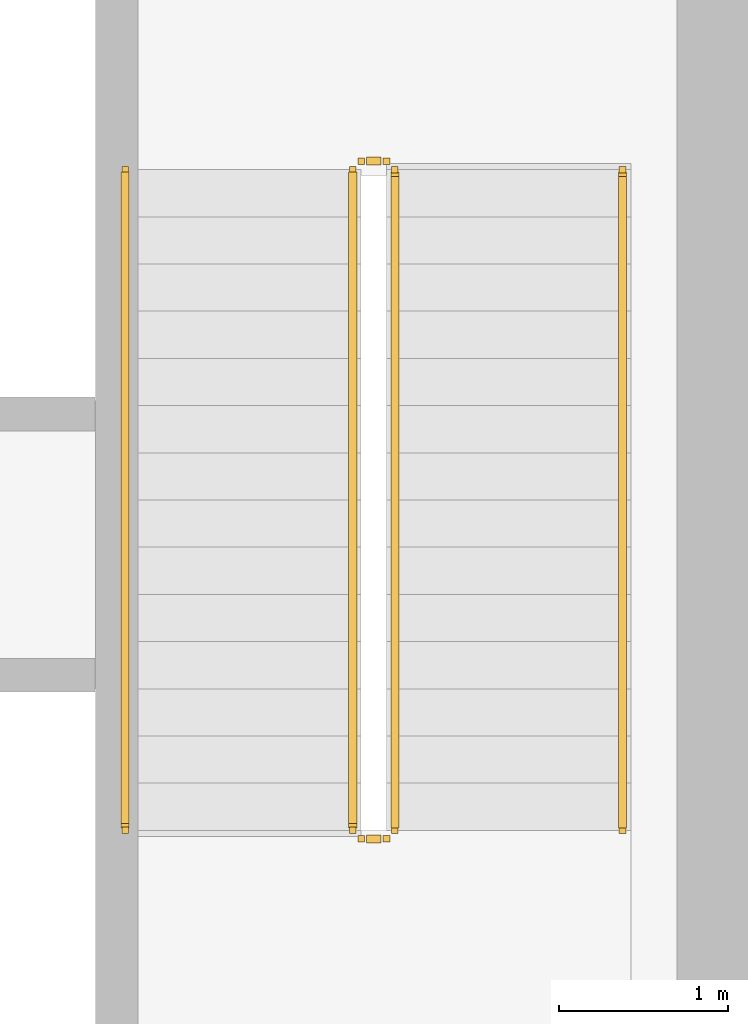
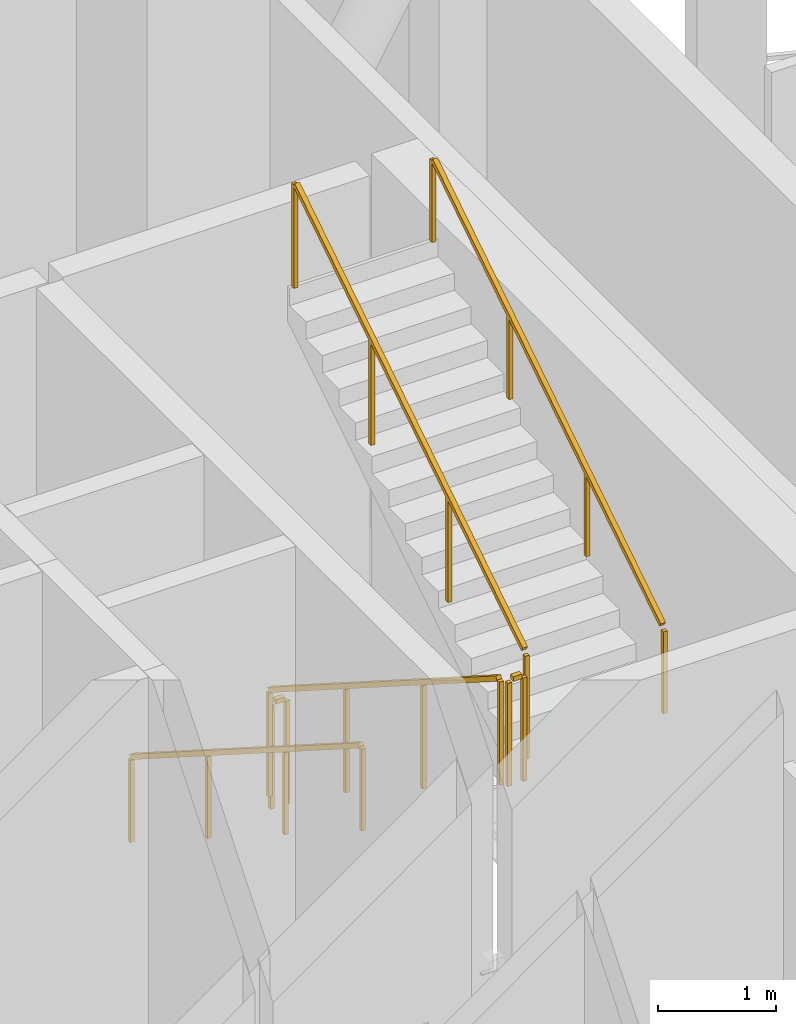
# One storey, part 14 of 15: 6 railings.
"""IFC4 building model written with IfcOpenShell, lengths in metres."""

from ifc_helpers import new_model, si_unit, direction, frame, origin, origin_2d, place, context, subcontext, project, spatial, rectangle, extrude, material, type_object, element, save


model = new_model("IFC4")

# Units and contexts
model_context = context("Model", 3, precision=1e-05, world=origin(), true_north=direction((0.0, 1.0)))
body_context = subcontext(model_context, "Body", "Model", "MODEL_VIEW")
ifc_project = project(units=[si_unit("LENGTHUNIT", "METRE"), si_unit("AREAUNIT", "SQUARE_METRE"), si_unit("VOLUMEUNIT", "CUBIC_METRE"), si_unit("PLANEANGLEUNIT", "RADIAN"), si_unit("MASSUNIT", "GRAM", prefix="KILO")], contexts=[model_context])

# Site, building, storey
site_placement = place(None, origin())
site = spatial("IfcSite", under=ifc_project, at=site_placement, CompositionType="ELEMENT")
building_placement = place(site_placement, origin())
building = spatial("IfcBuilding", under=site, at=building_placement, Name="Tharavind Bronze Gate", CompositionType="ELEMENT")
storey_placement = place(building_placement, frame((0.0, 0.0, 165.14990234375)))
storey = spatial("IfcBuildingStorey", under=building, at=storey_placement, Name="L42", CompositionType="ELEMENT", Elevation=165.14990234375)

# Railings
ifc_material = material(Name="Brushed Bronze Alloy", Category="metal")
railing_type_1 = type_object("IfcRailingType", Name="STAIR BRONZE HANDRAIL 900", PredefinedType="HANDRAIL", material=ifc_material)
railing_1_placement = place(storey_placement, frame((5.39990234375, 2.25, 0.178466796875)))
element("IfcRailing", 1, at=railing_1_placement, inside=storey, type_object=railing_type_1, Name="L42 ST2 stair handrail 1", PredefinedType="HANDRAIL", context=body_context, shape_type="SweptSolid", body=[
    extrude(rectangle(XDim=0.048095703125, YDim=0.048095703125, at=origin_2d()), frame((0.0, -0.027099609375, 0.89306640625), z_axis=(0.0, -0.843458096447, 0.537194973485), x_axis=(1.0, 0.0, 0.0)), (0.0, 0.0, 1.0), 4.58349609375),
    extrude(rectangle(XDim=0.0400390625, YDim=0.0400390625, at=origin_2d()), origin(), (0.0, 0.0, 1.0), 0.847900390625),
    extrude(rectangle(XDim=0.0400390625, YDim=0.0400390625, at=origin_2d()), frame((0.0, -1.306640625, 0.832275390625)), (0.0, 0.0, 1.0), 0.847900390625),
    extrude(rectangle(XDim=0.0400390625, YDim=0.0400390625, at=origin_2d()), frame((0.0, -2.61328125, 1.664306640625)), (0.0, 0.0, 1.0), 0.847900390625),
    extrude(rectangle(XDim=0.0400390625, YDim=0.0400390625, at=origin_2d()), frame((0.0, -3.919921875, 2.49658203125)), (0.0, 0.0, 1.0), 0.847900390625),
])
railing_2_placement = place(storey_placement, frame((8.35009765625, -1.669921875, 2.853515625)))
element("IfcRailing", 2, at=railing_2_placement, inside=storey, type_object=railing_type_1, Name="L42 ST2 stair handrail 2", PredefinedType="HANDRAIL", context=body_context, shape_type="SweptSolid", body=[
    extrude(rectangle(XDim=0.048095703125, YDim=0.048095703125, at=origin_2d()), frame((0.0, 0.027099609375, 0.89306640625), z_axis=(0.0, 0.843458096447, 0.537194973485), x_axis=(-1.0, 0.0, 0.0)), (0.0, 0.0, 1.0), 4.58349609375),
    extrude(rectangle(XDim=0.0400390625, YDim=0.0400390625, at=origin_2d()), origin(), (0.0, 0.0, 1.0), 0.847900390625),
    extrude(rectangle(XDim=0.0400390625, YDim=0.0400390625, at=origin_2d()), frame((0.0, 1.306640625, 0.832275390625)), (0.0, 0.0, 1.0), 0.847900390625),
    extrude(rectangle(XDim=0.0400390625, YDim=0.0400390625, at=origin_2d()), frame((0.0, 2.61328125, 1.664306640625)), (0.0, 0.0, 1.0), 0.847900390625),
    extrude(rectangle(XDim=0.0400390625, YDim=0.0400390625, at=origin_2d()), frame((0.0, 3.919921875, 2.49658203125)), (0.0, 0.0, 1.0), 0.847900390625),
])
railing_type_2 = type_object("IfcRailingType", Name="STAIR WELL GUARD RAILING 1120", PredefinedType="GUARDRAIL", material=ifc_material)
railing_3_placement = place(storey_placement, frame((6.75, 2.25, 0.178466796875)))
element("IfcRailing", 3, at=railing_3_placement, inside=storey, type_object=railing_type_2, Name="L42 ST2 stair guard 1", PredefinedType="GUARDRAIL", context=body_context, shape_type="SweptSolid", body=[
    extrude(rectangle(XDim=0.048095703125, YDim=0.048095703125, at=origin_2d()), frame((0.0, -0.027099609375, 1.11328125), z_axis=(0.0, -0.843458096447, 0.537194973485), x_axis=(1.0, 0.0, 0.0)), (0.0, 0.0, 1.0), 4.58349609375),
    extrude(rectangle(XDim=0.0400390625, YDim=0.0400390625, at=origin_2d()), origin(), (0.0, 0.0, 1.0), 1.068115234375),
    extrude(rectangle(XDim=0.0400390625, YDim=0.0400390625, at=origin_2d()), frame((0.0, -1.306640625, 0.832275390625)), (0.0, 0.0, 1.0), 1.068115234375),
    extrude(rectangle(XDim=0.0400390625, YDim=0.0400390625, at=origin_2d()), frame((0.0, -2.61328125, 1.664306640625)), (0.0, 0.0, 1.0), 1.068115234375),
    extrude(rectangle(XDim=0.0400390625, YDim=0.0400390625, at=origin_2d()), frame((0.0, -3.919921875, 2.49658203125)), (0.0, 0.0, 1.0), 1.068115234375),
])
railing_4_placement = place(storey_placement, frame((6.800048828125, -1.719970703125, 2.675048828125)))
element("IfcRailing", 4, at=railing_4_placement, inside=storey, type_object=railing_type_2, Name="L42 ST2 stair guard 2", PredefinedType="GUARDRAIL", context=body_context, shape_type="SweptSolid", body=[
    extrude(rectangle(XDim=0.048095703125, YDim=0.048095703125, at=origin_2d()), frame((0.031982421875, 0.0, 1.09619140625), z_axis=(1.0, 0.0, 0.0), x_axis=(0.0, 1.0, 0.0)), (0.0, 0.0, 1.0), 0.0859375),
    extrude(rectangle(XDim=0.0400390625, YDim=0.0400390625, at=origin_2d()), origin(), (0.0, 0.0, 1.0), 1.068115234375),
    extrude(rectangle(XDim=0.0400390625, YDim=0.0400390625, at=origin_2d()), frame((0.14990234375, 0.0, 0.0)), (0.0, 0.0, 1.0), 1.068115234375),
])
railing_5_placement = place(storey_placement, frame((7.0, -1.669921875, 2.853515625)))
element("IfcRailing", 5, at=railing_5_placement, inside=storey, type_object=railing_type_2, Name="L42 ST2 stair guard 3", PredefinedType="GUARDRAIL", context=body_context, shape_type="SweptSolid", body=[
    extrude(rectangle(XDim=0.048095703125, YDim=0.048095703125, at=origin_2d()), frame((0.0, 0.027099609375, 1.11328125), z_axis=(0.0, 0.843458096447, 0.537194973485), x_axis=(-1.0, 0.0, 0.0)), (0.0, 0.0, 1.0), 4.58349609375),
    extrude(rectangle(XDim=0.0400390625, YDim=0.0400390625, at=origin_2d()), origin(), (0.0, 0.0, 1.0), 1.068115234375),
    extrude(rectangle(XDim=0.0400390625, YDim=0.0400390625, at=origin_2d()), frame((0.0, 1.306640625, 0.832275390625)), (0.0, 0.0, 1.0), 1.068115234375),
    extrude(rectangle(XDim=0.0400390625, YDim=0.0400390625, at=origin_2d()), frame((0.0, 2.61328125, 1.664306640625)), (0.0, 0.0, 1.0), 1.068115234375),
    extrude(rectangle(XDim=0.0400390625, YDim=0.0400390625, at=origin_2d()), frame((0.0, 3.919921875, 2.49658203125)), (0.0, 0.0, 1.0), 1.068115234375),
])
railing_6_placement = place(storey_placement, frame((6.800048828125, 2.300048828125, 0.0)))
element("IfcRailing", 6, at=railing_6_placement, inside=storey, type_object=railing_type_2, Name="L42 ST2 stair guard 4", PredefinedType="GUARDRAIL", context=body_context, shape_type="SweptSolid", body=[
    extrude(rectangle(XDim=0.048095703125, YDim=0.048095703125, at=origin_2d()), frame((0.031982421875, 0.0, 1.09619140625), z_axis=(1.0, 0.0, 0.0), x_axis=(0.0, 1.0, 0.0)), (0.0, 0.0, 1.0), 0.0859375),
    extrude(rectangle(XDim=0.0400390625, YDim=0.0400390625, at=origin_2d()), origin(), (0.0, 0.0, 1.0), 1.068115234375),
    extrude(rectangle(XDim=0.0400390625, YDim=0.0400390625, at=origin_2d()), frame((0.14990234375, 0.0, 0.0)), (0.0, 0.0, 1.0), 1.068115234375),
])

save(model, "model.ifc")
